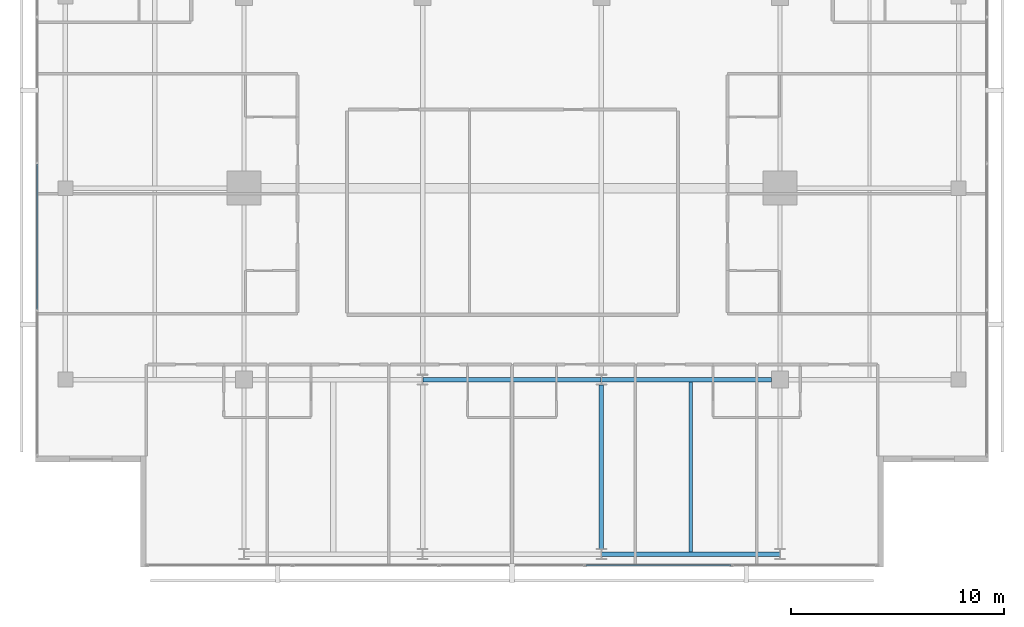
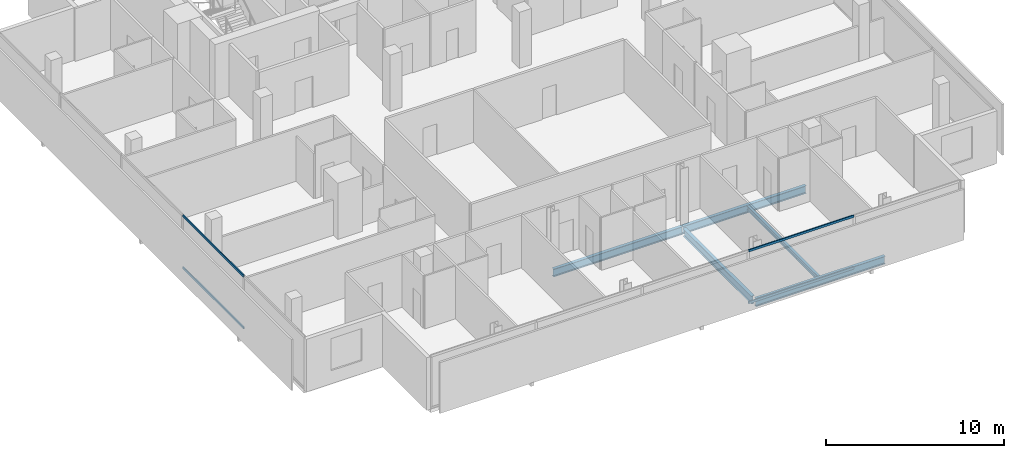
# One storey, part 7 of 26: 5 beams, 4 members, 2 elements without a shape of their own.
"""IFC4 building model written with IfcOpenShell, lengths in metres."""

from ifc_helpers import new_model, si_unit, direction, frame, origin, origin_2d, place, context, subcontext, project, spatial, hollow_rectangle, i_section, extrude, material, layer, layer_set, material_profile, profile_set, type_object, element, aggregate, save


model = new_model("IFC4")

# Units and contexts
model_context = context("Model", 3, precision=1e-05, world=origin(), true_north=direction((0.0, 1.0)))
body_context = subcontext(model_context, "Body", "Model", "MODEL_VIEW")
ifc_project = project(units=[si_unit("LENGTHUNIT", "METRE"), si_unit("AREAUNIT", "SQUARE_METRE"), si_unit("VOLUMEUNIT", "CUBIC_METRE"), si_unit("PLANEANGLEUNIT", "RADIAN"), si_unit("MASSUNIT", "GRAM", prefix="KILO")], contexts=[model_context])

# Site, building, storey
site_placement = place(None, origin())
site = spatial("IfcSite", under=ifc_project, at=site_placement, CompositionType="ELEMENT")
building_placement = place(site_placement, origin())
building = spatial("IfcBuilding", under=site, at=building_placement, Name="Maruvema Waterfront Hotel and Observation Tower", CompositionType="ELEMENT")
storey_placement = place(building_placement, frame((0.0, 0.0, 243.25)))
storey = spatial("IfcBuildingStorey", under=building, at=storey_placement, Name="L59", CompositionType="ELEMENT", Elevation=243.25)

# Curtain wall, members
ifc_material_1 = material(Name="Anodised bronze aluminium and solar-control low-E IGU", Category="aluminium")
ifc_layer = layer(ifc_material_1, 0.159912109375, Name="Zone 3 Champagne Inner Thermal Curtain Wall System CW-04")
ifc_layer_set = layer_set([ifc_layer], Name="Anodised bronze aluminium and solar-control low-E IGU")
curtain_wall_type = type_object("IfcCurtainWallType", Name="Zone 3 Champagne Inner Thermal Curtain Wall System CW-04", PredefinedType="USERDEFINED", material=ifc_layer_set)
curtain_wall_1_placement = place(storey_placement, origin())
curtain_wall_1 = element("IfcCurtainWall", 1, at=curtain_wall_1_placement, inside=storey, type_object=curtain_wall_type, Name="L59 Curtain Wall CW-L59-S", ObjectType="UNITISED CURTAIN WALL", PredefinedType="USERDEFINED")
ifc_material_2 = material(Name="Anodised architectural bronze aluminium", Category="aluminium")
ifc_material_profile_1 = material_profile(ifc_material_2, hollow_rectangle(XDim=0.070068359375, YDim=0.14990234375, WallThickness=0.00390625, at=origin_2d()), Name="ALU-T70x150")
ifc_profile_set_1 = profile_set([ifc_material_profile_1], Name="Anodised architectural bronze aluminium")
member_type = type_object("IfcMemberType", Name="Curtain Wall Horizontal Transom ALU-T70x150", PredefinedType="USERDEFINED", material=ifc_profile_set_1)
member_1_placement = place(storey_placement, frame((41.27001953125, 9.280029296875, 0.030029296875), z_axis=(1.0, 0.0, 0.0), x_axis=(0.0, 1.0, 0.0)))
member_1 = element("IfcMember", 2, at=member_1_placement, type_object=member_type, Name="CW-04 transom 4.1", ObjectType="TRANSOM", PredefinedType="USERDEFINED", context=body_context, shape_type="SweptSolid", body=[
    extrude(hollow_rectangle(XDim=0.070068359375, YDim=0.14990234375, WallThickness=0.00390625, at=origin_2d()), origin(), (0.0, 0.0, 1.0), 6.820068359375),
])
member_2_placement = place(storey_placement, frame((41.27001953125, 9.280029296875, 3.580078125), z_axis=(1.0, 0.0, 0.0), x_axis=(0.0, 1.0, 0.0)))
member_2 = element("IfcMember", 3, at=member_2_placement, type_object=member_type, Name="CW-04 transom 4.2", ObjectType="TRANSOM", PredefinedType="USERDEFINED", context=body_context, shape_type="SweptSolid", body=[
    extrude(hollow_rectangle(XDim=0.070068359375, YDim=0.14990234375, WallThickness=0.00390625, at=origin_2d()), origin(), (0.0, 0.0, 1.0), 6.820068359375),
])
aggregate(curtain_wall_1, [member_1, member_2])

curtain_wall_2_placement = place(storey_placement, origin())
curtain_wall_2 = element("IfcCurtainWall", 4, at=curtain_wall_2_placement, inside=storey, type_object=curtain_wall_type, Name="L59 Curtain Wall CW-L59-W", ObjectType="UNITISED CURTAIN WALL", PredefinedType="USERDEFINED")
member_3_placement = place(storey_placement, frame((15.47998046875, 28.1298828125, 0.030029296875), z_axis=(0.0, -1.0, 0.0), x_axis=(1.0, 0.0, 0.0)))
member_3 = element("IfcMember", 5, at=member_3_placement, type_object=member_type, Name="CW-04 transom 4.1", ObjectType="TRANSOM", PredefinedType="USERDEFINED", context=body_context, shape_type="SweptSolid", body=[
    extrude(hollow_rectangle(XDim=0.070068359375, YDim=0.14990234375, WallThickness=0.00390625, at=origin_2d()), origin(), (0.0, 0.0, 1.0), 6.81982421875),
])
member_4_placement = place(storey_placement, frame((15.47998046875, 28.1298828125, 3.580078125), z_axis=(0.0, -1.0, 0.0), x_axis=(1.0, 0.0, 0.0)))
member_4 = element("IfcMember", 6, at=member_4_placement, type_object=member_type, Name="CW-04 transom 4.2", ObjectType="TRANSOM", PredefinedType="USERDEFINED", context=body_context, shape_type="SweptSolid", body=[
    extrude(hollow_rectangle(XDim=0.070068359375, YDim=0.14990234375, WallThickness=0.00390625, at=origin_2d()), origin(), (0.0, 0.0, 1.0), 6.81982421875),
])
aggregate(curtain_wall_2, [member_3, member_4])

# Beams
ifc_material_3 = material(Name="Steel ASTM A572 Grade 50", Category="steel")
ifc_material_profile_2 = material_profile(ifc_material_3, i_section(OverallWidth=0.208984375, OverallDepth=0.532958984375, WebThickness=0.01025390625, FlangeThickness=0.015625, FilletRadius=0.014892578125, at=origin_2d()), Name="W530x92.0")
ifc_profile_set_2 = profile_set([ifc_material_profile_2], Name="Steel ASTM A572 Grade 50")
beam_type_1 = type_object("IfcBeamType", Name="Primary Floor Girder W530x92.0", PredefinedType="BEAM", material=ifc_profile_set_2)
for number, where, z_axis, x_axis, name in (
    (7, (42.010986328125, 9.800048828125, -0.506591796875), (1.0, 0.0, 0.0), (0.0, 1.0, 0.0), "L59 Floor Girder EW-03"),
    (8, (33.611083984375, 18.0, -0.506591796875), (1.0, 0.0, 0.0), (0.0, 1.0, 0.0), "L59 Floor Girder EW-06"),
):
    element("IfcBeam", number, at=place(storey_placement, frame(where, z_axis=z_axis, x_axis=x_axis)), inside=storey, type_object=beam_type_1, Name=name, PredefinedType="BEAM", context=body_context, shape_type="SweptSolid", body=[
        extrude(i_section(OverallWidth=0.208984375, OverallDepth=0.532958984375, WebThickness=0.01025390625, FlangeThickness=0.015625, FilletRadius=0.014892578125, at=origin_2d()), origin(), (0.0, 0.0, 1.0), 8.3779296875),
    ])
beam_1_placement = place(storey_placement, frame((42.010986328125, 18.0, -0.506591796875), z_axis=(1.0, 0.0, 0.0), x_axis=(0.0, 1.0, 0.0)))
element("IfcBeam", 9, at=beam_1_placement, inside=storey, type_object=beam_type_1, Name="L59 Floor Girder EW-07", PredefinedType="BEAM", context=body_context, shape_type="SweptSolid", body=[
    extrude(i_section(OverallWidth=0.208984375, OverallDepth=0.532958984375, WebThickness=0.01025390625, FlangeThickness=0.015625, FilletRadius=0.014892578125, at=origin_2d()), origin(), (0.0, 0.0, 1.0), 7.989013671875),
])
beam_2_placement = place(storey_placement, frame((42.0, 10.050048828125, -0.506591796875), z_axis=(0.0, 1.0, 0.0), x_axis=(-1.0, 0.0, 0.0)))
element("IfcBeam", 10, at=beam_2_placement, inside=storey, type_object=beam_type_1, Name="L59 Floor Girder NS-10", PredefinedType="BEAM", context=body_context, shape_type="SweptSolid", body=[
    extrude(i_section(OverallWidth=0.208984375, OverallDepth=0.532958984375, WebThickness=0.01025390625, FlangeThickness=0.015625, FilletRadius=0.014892578125, at=origin_2d()), origin(), (0.0, 0.0, 1.0), 7.699951171875),
])
ifc_material_4 = material(Name="Steel ASTM A572 Grade 50", Category="steel")
ifc_material_profile_3 = material_profile(ifc_material_4, i_section(OverallWidth=0.1650390625, OverallDepth=0.31005859375, WebThickness=0.005859375, FlangeThickness=0.009765625, FilletRadius=0.012939453125, at=origin_2d()), Name="W310x38.7")
ifc_profile_set_3 = profile_set([ifc_material_profile_3], Name="Steel ASTM A572 Grade 50")
beam_type_2 = type_object("IfcBeamType", Name="Secondary Floor Joist W310x38.7", PredefinedType="JOIST", material=ifc_profile_set_3)
beam_3_placement = place(storey_placement, frame((46.199951171875, 9.904541015625, -0.39501953125), z_axis=(0.0, 1.0, 0.0), x_axis=(-1.0, 0.0, 0.0)))
element("IfcBeam", 11, at=beam_3_placement, inside=storey, type_object=beam_type_2, Name="L59 Secondary Floor Joist JS-06", PredefinedType="JOIST", context=body_context, shape_type="SweptSolid", body=[
    extrude(i_section(OverallWidth=0.1650390625, OverallDepth=0.31005859375, WebThickness=0.005859375, FlangeThickness=0.009765625, FilletRadius=0.012939453125, at=origin_2d()), origin(), (0.0, 0.0, 1.0), 7.990966796875),
])

save(model, "model.ifc")
